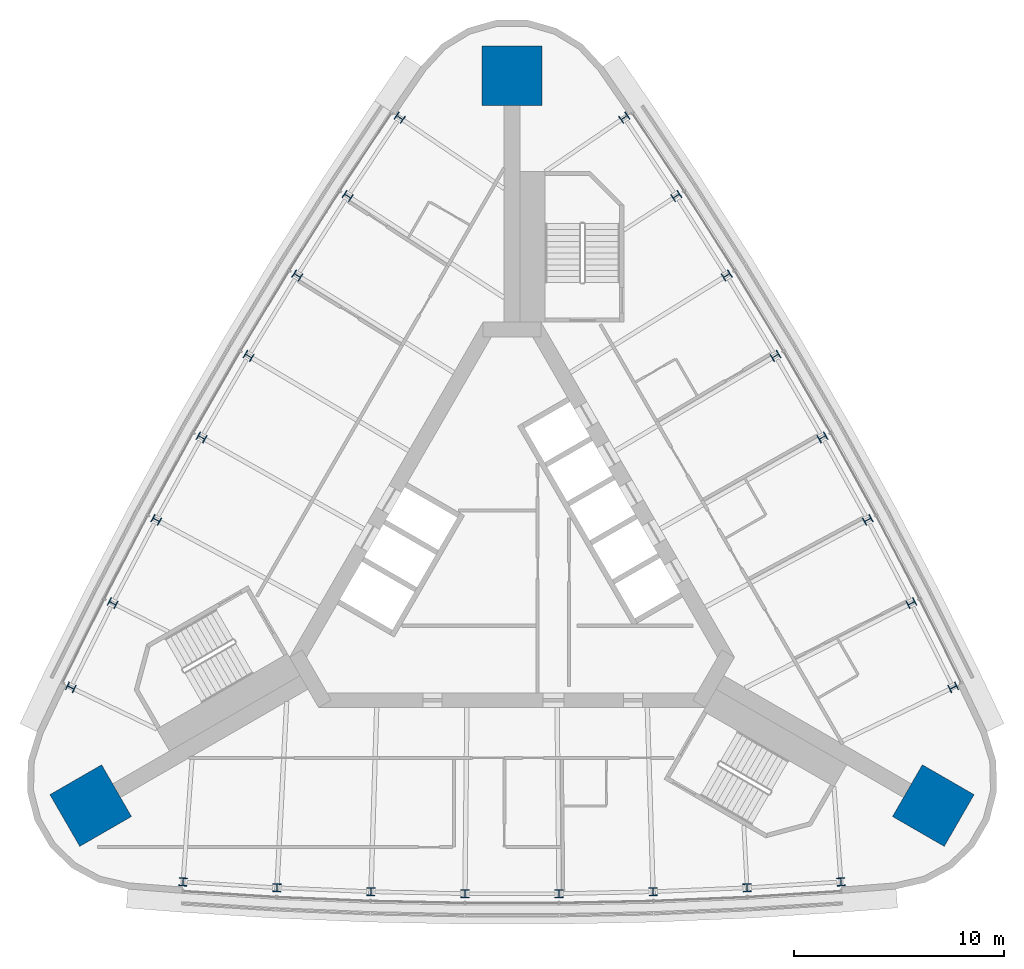
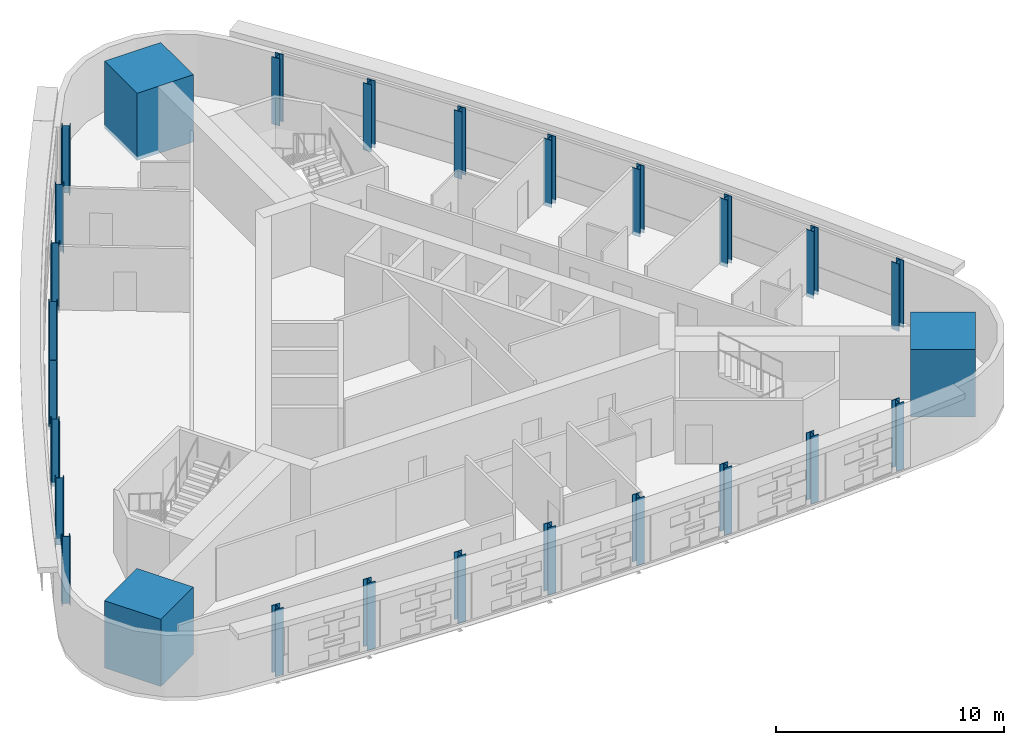
# One storey, part 1 of 12: 27 columns.
"""IFC4 building model written with IfcOpenShell, lengths in metres."""

from ifc_helpers import new_model, si_unit, direction, frame, origin, origin_2d, place, context, subcontext, project, spatial, rectangle, i_section, extrude, material, material_profile, profile_set, type_object, element, save


model = new_model("IFC4")

# Units and contexts
model_context = context("Model", 3, precision=1e-05, world=origin(), true_north=direction((0.0, 1.0)))
body_context = subcontext(model_context, "Body", "Model", "MODEL_VIEW")
ifc_project = project(units=[si_unit("LENGTHUNIT", "METRE"), si_unit("AREAUNIT", "SQUARE_METRE"), si_unit("VOLUMEUNIT", "CUBIC_METRE"), si_unit("PLANEANGLEUNIT", "RADIAN"), si_unit("MASSUNIT", "GRAM", prefix="KILO")], contexts=[model_context])

# Site, building, storey
site_placement = place(None, origin())
site = spatial("IfcSite", under=ifc_project, at=site_placement, CompositionType="ELEMENT")
building_placement = place(site_placement, origin())
building = spatial("IfcBuilding", under=site, at=building_placement, Name="Noor Cloister Tower", CompositionType="ELEMENT")
storey_placement = place(building_placement, frame((0.0, 0.0, 161.699951171875)))
storey = spatial("IfcBuildingStorey", under=building, at=storey_placement, Name="L41", CompositionType="ELEMENT", Elevation=161.699951171875)

# Columns
ifc_material_1 = material(Name="Steel ASTM A992 Gr 50", Category="steel")
ifc_material_profile_1 = material_profile(ifc_material_1, i_section(OverallWidth=0.39892578125, OverallDepth=0.385986328125, WebThickness=0.02099609375, FlangeThickness=0.033203125, FilletRadius=0.01513671875, at=origin_2d()), Name="W360x262")
ifc_profile_set_1 = profile_set([ifc_material_profile_1], Name="Steel ASTM A992 Gr 50")
column_type_1 = type_object("IfcColumnType", Name="Column W360x262", PredefinedType="COLUMN", material=ifc_profile_set_1)
for number, where, z_axis, x_axis, name in (
    (1, (-5.354736328125, 21.21533203125, -0.199951171875), (0.0, 0.0, 1.0), (-0.562090371754, -0.827075821181, 0.0), "Column NW 01 L41"),
    (2, (-7.838623046875, 17.476806640625, -0.199951171875), (0.0, 0.0, 1.0), (-0.54464410067, -0.838667278249, 0.0), "Column NW 02 L41"),
    (3, (-10.24365234375, 13.68701171875, -0.199951171875), (0.0, 0.0, 1.0), (-0.526958875565, -0.849890783256, 0.0), "Column NW 03 L41"),
    (4, (-12.568603515625, 9.847900390625, -0.199951171875), (0.0, 0.0, 1.0), (-0.509042455552, -0.860741412066, 0.0), "Column NW 04 L41"),
    (5, (-14.81298828125, 5.9609375, -0.199951171875), (0.0, 0.0, 1.0), (-0.490902701163, -0.871214404146, 0.0), "Column NW 05 L41"),
    (6, (-16.97509765625, 2.027587890625, -0.199951171875), (0.0, 0.0, 1.0), (-0.472547570959, -0.881305164617, 0.0), "Column NW 06 L41"),
    (7, (-19.0546875, -1.949951171875, -0.199951171875), (0.0, 0.0, 1.0), (-0.453985117951, -0.891009266326, 0.0), "Column NW 07 L41"),
    (8, (-21.05029296875, -5.97021484375, -0.199951171875), (0.0, 0.0, 1.0), (-0.435223486122, -0.900322451752, 0.0), "Column NW 08 L41"),
    (9, (-15.695556640625, -15.244873046875, -0.199951171875), (0.0, 0.0, 1.0), (0.997313857875, -0.073246630571, 0.0), "Column S 01 L41"),
    (10, (-11.216064453125, -15.52685546875, -0.199951171875), (0.0, 0.0, 1.0), (0.998629218621, -0.052341988078, 0.0), "Column S 02 L41"),
    (11, (-6.731689453125, -15.71484375, -0.199951171875), (0.0, 0.0, 1.0), (0.999506446524, -0.031414381361, 0.0), "Column S 03 L41"),
    (12, (-2.244140625, -15.808837890625, -0.199951171875), (0.0, 0.0, 1.0), (0.999945156715, -0.01047299208, 0.0), "Column S 04 L41"),
    (13, (2.244140625, -15.808837890625, -0.199951171875), (0.0, 0.0, 1.0), (0.999945156715, 0.01047299208, 0.0), "Column S 05 L41"),
    (14, (6.731689453125, -15.71484375, -0.199951171875), (0.0, 0.0, 1.0), (0.999506446524, 0.031414381361, 0.0), "Column S 06 L41"),
    (15, (11.216064453125, -15.52685546875, -0.199951171875), (0.0, 0.0, 1.0), (0.998629218621, 0.052341988078, 0.0), "Column S 07 L41"),
    (16, (15.695556640625, -15.244873046875, -0.199951171875), (0.0, 0.0, 1.0), (0.997313857875, 0.073246630571, 0.0), "Column S 08 L41"),
    (17, (21.05029296875, -5.97021484375, -0.199951171875), (0.0, 0.0, 1.0), (-0.435223486122, 0.900322451752, 0.0), "Column NE 01 L41"),
    (18, (19.0546875, -1.949951171875, -0.199951171875), (0.0, 0.0, 1.0), (-0.453985117951, 0.891009266326, 0.0), "Column NE 02 L41"),
    (19, (16.97509765625, 2.027587890625, -0.199951171875), (0.0, 0.0, 1.0), (-0.472547570959, 0.881305164617, 0.0), "Column NE 03 L41"),
    (20, (14.81298828125, 5.9609375, -0.199951171875), (0.0, 0.0, 1.0), (-0.490902701163, 0.871214404146, 0.0), "Column NE 04 L41"),
    (21, (12.568603515625, 9.847900390625, -0.199951171875), (0.0, 0.0, 1.0), (-0.509042455552, 0.860741412066, 0.0), "Column NE 05 L41"),
    (22, (10.24365234375, 13.68701171875, -0.199951171875), (0.0, 0.0, 1.0), (-0.526958875565, 0.849890783256, 0.0), "Column NE 06 L41"),
    (23, (7.838623046875, 17.476806640625, -0.199951171875), (0.0, 0.0, 1.0), (-0.54464410067, 0.838667278249, 0.0), "Column NE 07 L41"),
    (24, (5.354736328125, 21.21533203125, -0.199951171875), (0.0, 0.0, 1.0), (-0.562090371754, 0.827075821181, 0.0), "Column NE 08 L41"),
):
    element("IfcColumn", number, at=place(storey_placement, frame(where, z_axis=z_axis, x_axis=x_axis)), inside=storey, type_object=column_type_1, Name=name, PredefinedType="COLUMN", context=body_context, shape_type="SweptSolid", body=[
        extrude(i_section(OverallWidth=0.39892578125, OverallDepth=0.385986328125, WebThickness=0.02099609375, FlangeThickness=0.033203125, FilletRadius=0.01513671875, at=origin_2d()), origin(), (0.0, 0.0, 1.0), 3.60009765625),
    ])
ifc_material_2 = material(Name="Concrete C70/85", Category="concrete")
ifc_material_profile_2 = material_profile(ifc_material_2, rectangle(XDim=2.85009765625, YDim=2.85009765625, at=origin_2d()), Name="RC 2850x2850")
ifc_profile_set_2 = profile_set([ifc_material_profile_2], Name="Concrete C70/85")
column_type_2 = type_object("IfcColumnType", Name="Corner pier 2850 x 2850 C70/85", PredefinedType="COLUMN", material=ifc_profile_set_2)
for number, where, z_axis, x_axis, name in (
    (25, (0.0, 23.2119140625, -0.199951171875), (0.0, 0.0, 1.0), (0.0, 1.0, 0.0), "Corner pier N L41"),
    (26, (-20.102294921875, -11.60595703125, -0.199951171875), (0.0, 0.0, 1.0), (-0.866025403784, -0.5, 0.0), "Corner pier SW L41"),
    (27, (20.102294921875, -11.60595703125, -0.199951171875), (0.0, 0.0, 1.0), (0.866025403784, -0.5, 0.0), "Corner pier SE L41"),
):
    element("IfcColumn", number, at=place(storey_placement, frame(where, z_axis=z_axis, x_axis=x_axis)), inside=storey, type_object=column_type_2, Name=name, PredefinedType="COLUMN", context=body_context, shape_type="SweptSolid", body=[
        extrude(rectangle(XDim=2.85009765625, YDim=2.85009765625, at=origin_2d()), origin(), (0.0, 0.0, 1.0), 3.60009765625),
    ])

save(model, "model.ifc")
